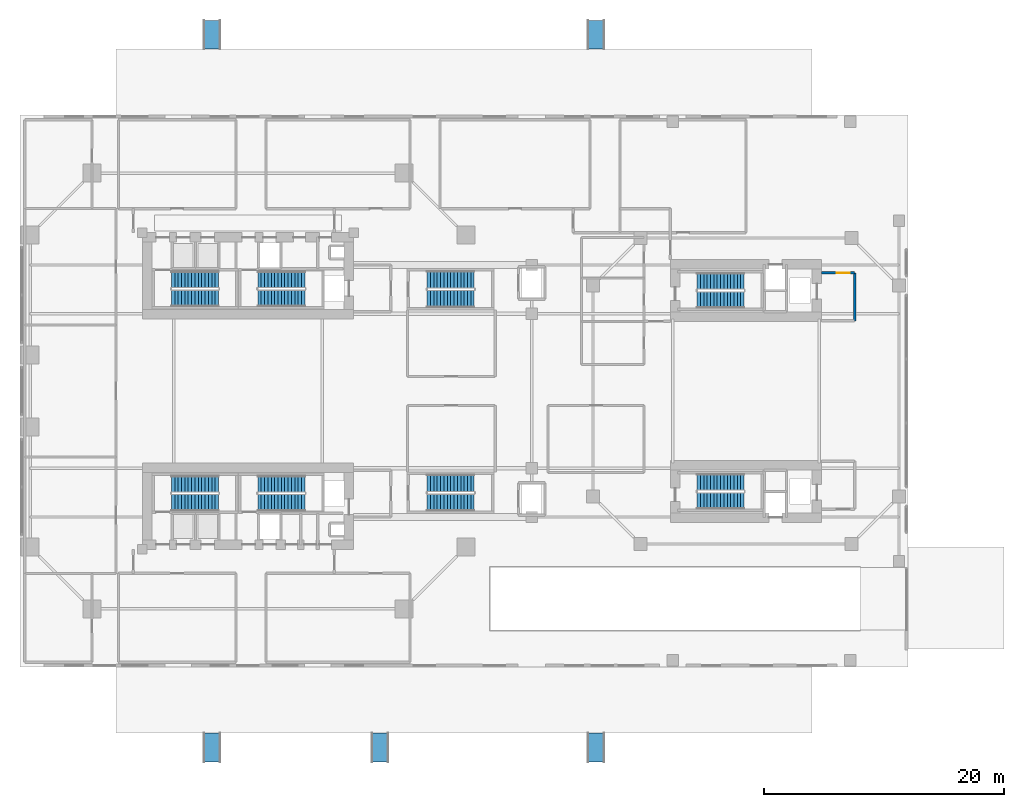
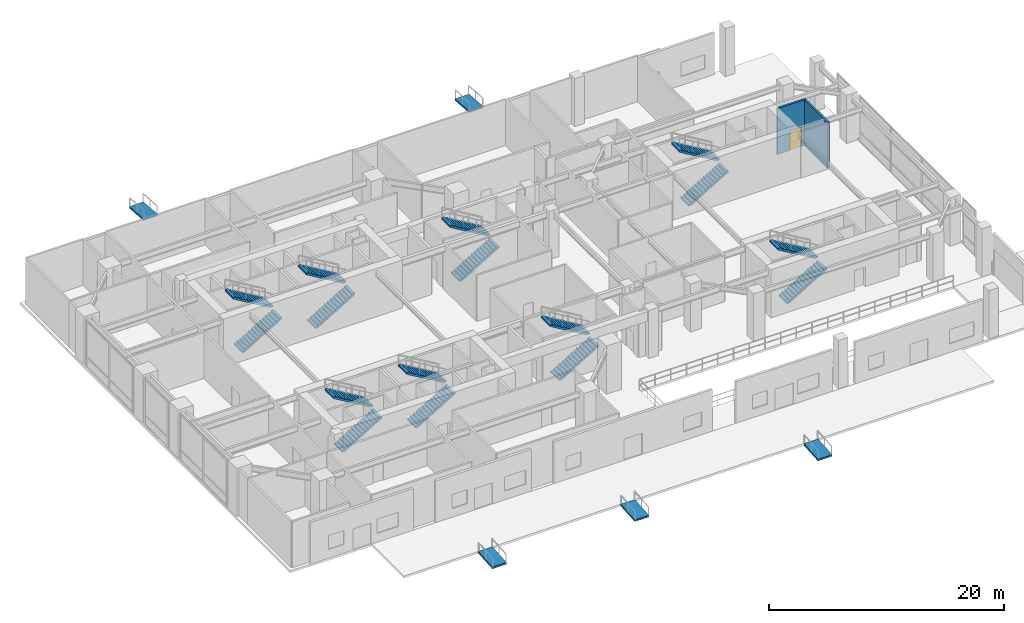
# One storey, part 13 of 18: 16 stair flights, 5 ramp flights, 2 walls, 1 door, 1 opening, 13 elements without a shape of their own.
"""IFC4 building model written with IfcOpenShell, lengths in metres."""

from ifc_helpers import new_model, si_unit, direction, frame, frame_2d, origin, place, context, subcontext, project, spatial, polyline, rectangle, outline, extrude, source, transform, mapped, material, layer, layer_set, type_object, element, fill, aggregate, save


model = new_model("IFC4")

# Units and contexts
model_context = context("Model", 3, precision=1e-05, world=origin(), true_north=direction((0.0, 1.0)))
body_context = subcontext(model_context, "Body", "Model", "MODEL_VIEW")
ifc_project = project(units=[si_unit("LENGTHUNIT", "METRE"), si_unit("AREAUNIT", "SQUARE_METRE"), si_unit("VOLUMEUNIT", "CUBIC_METRE"), si_unit("PLANEANGLEUNIT", "RADIAN"), si_unit("MASSUNIT", "GRAM", prefix="KILO"), si_unit("THERMODYNAMICTEMPERATUREUNIT", "KELVIN"), si_unit("POWERUNIT", "WATT")], contexts=[model_context])

# Site, building, storey
site_placement = place(None, origin())
site = spatial("IfcSite", under=ifc_project, at=site_placement, CompositionType="ELEMENT")
building_placement = place(site_placement, origin())
building = spatial("IfcBuilding", under=site, at=building_placement, Name="Qiaomeng Ring Towers", CompositionType="ELEMENT")
storey_placement = place(building_placement, origin())
storey = spatial("IfcBuildingStorey", under=building, at=storey_placement, Name="L00", CompositionType="ELEMENT", Elevation=0.0)

# Wall
ifc_material_1 = material(Name="Autoclaved aerated concrete block", Category="concrete")
ifc_layer_1 = layer(ifc_material_1, 0.199951171875, Name="Autoclaved aerated concrete block")
ifc_layer_set_1 = layer_set([ifc_layer_1], Name="Autoclaved aerated concrete block")
wall_type = type_object("IfcWallType", Name="ARC-WL-PW1", PredefinedType="PARTITIONING", material=ifc_layer_set_1)
wall_1_placement = place(storey_placement, frame((69.550048828125, 28.85009765625, 0.0), z_axis=(0.0, 0.0, 1.0), x_axis=(0.0, 1.0, 0.0)))
element("IfcWall", 1, at=wall_1_placement, inside=storey, type_object=wall_type, Name="L00 Interior Wall PW1", PredefinedType="PARTITIONING", context=body_context, shape_type="SweptSolid", body=[
    extrude(rectangle(XDim=4.0, YDim=0.199951171875, at=frame_2d((2.0, 0.0))), origin(), (0.0, 0.0, 1.0), 4.780029296875),
])

# Wall, opening, door
wall_2_placement = place(storey_placement, frame((66.800048828125, 32.85009765625, 0.0), z_axis=(0.0, 0.0, 1.0), x_axis=(1.0, 0.0, 0.0)))
wall_2 = element("IfcWall", 2, at=wall_2_placement, inside=storey, type_object=wall_type, Name="L00 Interior Wall PW1", PredefinedType="PARTITIONING", context=body_context, shape_type="SweptSolid", body=[
    extrude(rectangle(XDim=2.75, YDim=0.199951171875, at=frame_2d((1.375, 0.0))), origin(), (0.0, 0.0, 1.0), 4.780029296875),
])
opening_placement = place(wall_2_placement, frame((1.25, 0.0, 0.0)))
opening = element("IfcOpeningElement", 3, at=opening_placement, cuts=wall_2, Name="Opening FD3", PredefinedType="OPENING", context=body_context, shape_type="SweptSolid", body=[
    extrude(rectangle(XDim=1.10009765625, YDim=2.050048828125, at=frame_2d((0.550048828125, 1.02490234375))), frame((0.0, 0.10986328125, 0.0), z_axis=(0.0, -1.0, 0.0), x_axis=(1.0, 0.0, 0.0)), (0.0, 0.0, 1.0), 0.219970703125),
])
ifc_material_2 = material(Name="Galvanised steel", Category="steel")
door_type = type_object("IfcDoorType", Name="ARC-DR-FD3", OperationType="NOTDEFINED", PredefinedType="DOOR", material=ifc_material_2)
shared_shape_1 = source(origin(), body_context, "Body", "SweptSolid", [
    extrude(rectangle(XDim=1.10009765625, YDim=2.050048828125, at=frame_2d((0.550048828125, 1.02490234375))), frame((0.0, 0.02490234375, 0.0), z_axis=(0.0, -1.0, 0.0), x_axis=(1.0, 0.0, 0.0)), (0.0, 0.0, 1.0), 0.050048828125),
])
door_placement = place(opening_placement, origin())
door = element("IfcDoor", 4, at=door_placement, inside=storey, type_object=door_type, Name="L00 Door FD3", OperationType="SINGLE_SWING_RIGHT", OverallHeight=2.050048828125, OverallWidth=1.10009765625, PredefinedType="DOOR", context=body_context, shape_type="MappedRepresentation", body=[
    mapped(shared_shape_1, transform((0.0, 0.0, 0.0), x_axis=(1.0, 0.0, 0.0), y_axis=(0.0, 1.0, 0.0), z_axis=(0.0, 0.0, 1.0), scale=1.0)),
])
fill(opening, door)

# Stair, stair flights
ifc_material_3 = material(Name="Precast concrete C40", Category="concrete")
stair_type_1 = type_object("IfcStairType", Name="ARC-ST-500", PredefinedType="HALF_TURN_STAIR", material=ifc_material_3)
stair_1_placement = place(storey_placement, origin())
stair_1 = element("IfcStair", 5, at=stair_1_placement, inside=storey, type_object=stair_type_1, Name="L00 Tower 1 North Stair 1", PredefinedType="HALF_TURN_STAIR")
stair_flight_type_1 = type_object("IfcStairFlightType", Name="ARC-ST-500-FL", PredefinedType="STRAIGHT", material=ifc_material_3)
shared_shape_2 = source(origin(), body_context, "Body", "SweptSolid", [
    extrude(outline(polyline([(0.0, 0.0), (0.0, 0.166748046875), (0.280029296875, 0.166748046875), (0.280029296875, 0.333251953125), (0.56005859375, 0.333251953125), (0.56005859375, 0.5), (0.840087890625, 0.5), (0.840087890625, 0.666748046875), (1.1201171875, 0.666748046875), (1.1201171875, 0.833251953125), (1.39990234375, 0.833251953125), (1.39990234375, 1.0), (1.679931640625, 1.0), (1.679931640625, 1.166748046875), (1.9599609375, 1.166748046875), (1.9599609375, 1.333251953125), (2.239990234375, 1.333251953125), (2.239990234375, 1.5), (2.52001953125, 1.5), (2.52001953125, 1.666748046875), (2.800048828125, 1.666748046875), (2.800048828125, 1.833251953125), (3.080078125, 1.833251953125), (3.080078125, 2.0), (3.360107421875, 2.0), (3.360107421875, 2.166748046875), (3.639892578125, 2.166748046875), (3.639892578125, 2.333251953125), (3.919921875, 2.333251953125), (3.919921875, 2.5), (3.919921875, 2.158935546875), (0.29296875, 0.0), (0.0, 0.0)])), frame((0.0, 0.699951171875, 0.0), z_axis=(0.0, -1.0, 0.0), x_axis=(1.0, 0.0, 0.0)), (0.0, 0.0, 1.0), 1.39990234375),
])
stair_flight_1_placement = place(storey_placement, frame((12.6201171875, 30.75, 0.0), z_axis=(0.0, 0.0, 1.0), x_axis=(1.0, 0.0, 0.0)))
stair_flight_1 = element("IfcStairFlight", 6, at=stair_flight_1_placement, type_object=stair_flight_type_1, Name="ST1 flight 1", NumberOfRisers=15, NumberOfTreads=14, PredefinedType="STRAIGHT", RiserHeight=0.166666667, TreadLength=0.28, context=body_context, shape_type="MappedRepresentation", body=[
    mapped(shared_shape_2, transform((0.0, 0.0, 0.0), x_axis=(1.0, 0.0, 0.0), y_axis=(0.0, 1.0, 0.0), z_axis=(0.0, 0.0, 1.0), scale=1.0)),
])
stair_flight_2_placement = place(storey_placement, frame((16.5400390625, 32.2900390625, 2.5), z_axis=(0.0, 0.0, 1.0), x_axis=(-1.0, 0.0, 0.0)))
stair_flight_2 = element("IfcStairFlight", 7, at=stair_flight_2_placement, type_object=stair_flight_type_1, Name="ST1 flight 2", NumberOfRisers=15, NumberOfTreads=14, PredefinedType="STRAIGHT", RiserHeight=0.166666667, TreadLength=0.28, context=body_context, shape_type="MappedRepresentation", body=[
    mapped(shared_shape_2, transform((0.0, 0.0, 0.0), x_axis=(1.0, 0.0, 0.0), y_axis=(0.0, 1.0, 0.0), z_axis=(0.0, 0.0, 1.0), scale=1.0)),
])
aggregate(stair_1, [stair_flight_1, stair_flight_2])

stair_2_placement = place(storey_placement, origin())
stair_2 = element("IfcStair", 8, at=stair_2_placement, inside=storey, type_object=stair_type_1, Name="L00 Tower 1 North Stair 2", PredefinedType="HALF_TURN_STAIR")
stair_flight_3_placement = place(storey_placement, frame((19.820068359375, 30.75, 0.0), z_axis=(0.0, 0.0, 1.0), x_axis=(1.0, 0.0, 0.0)))
stair_flight_3 = element("IfcStairFlight", 9, at=stair_flight_3_placement, type_object=stair_flight_type_1, Name="ST2 flight 1", NumberOfRisers=15, NumberOfTreads=14, PredefinedType="STRAIGHT", RiserHeight=0.166666667, TreadLength=0.28, context=body_context, shape_type="MappedRepresentation", body=[
    mapped(shared_shape_2, transform((0.0, 0.0, 0.0), x_axis=(1.0, 0.0, 0.0), y_axis=(0.0, 1.0, 0.0), z_axis=(0.0, 0.0, 1.0), scale=1.0)),
])
stair_flight_4_placement = place(storey_placement, frame((23.739990234375, 32.2900390625, 2.5), z_axis=(0.0, 0.0, 1.0), x_axis=(-1.0, 0.0, 0.0)))
stair_flight_4 = element("IfcStairFlight", 10, at=stair_flight_4_placement, type_object=stair_flight_type_1, Name="ST2 flight 2", NumberOfRisers=15, NumberOfTreads=14, PredefinedType="STRAIGHT", RiserHeight=0.166666667, TreadLength=0.28, context=body_context, shape_type="MappedRepresentation", body=[
    mapped(shared_shape_2, transform((0.0, 0.0, 0.0), x_axis=(1.0, 0.0, 0.0), y_axis=(0.0, 1.0, 0.0), z_axis=(0.0, 0.0, 1.0), scale=1.0)),
])
aggregate(stair_2, [stair_flight_3, stair_flight_4])

stair_3_placement = place(storey_placement, origin())
stair_3 = element("IfcStair", 11, at=stair_3_placement, inside=storey, type_object=stair_type_1, Name="L00 Tower 1 South Stair 3", PredefinedType="HALF_TURN_STAIR")
stair_flight_5_placement = place(storey_placement, frame((12.6201171875, 13.7099609375, 0.0), z_axis=(0.0, 0.0, 1.0), x_axis=(1.0, 0.0, 0.0)))
stair_flight_5 = element("IfcStairFlight", 12, at=stair_flight_5_placement, type_object=stair_flight_type_1, Name="ST3 flight 1", NumberOfRisers=15, NumberOfTreads=14, PredefinedType="STRAIGHT", RiserHeight=0.166666667, TreadLength=0.28, context=body_context, shape_type="MappedRepresentation", body=[
    mapped(shared_shape_2, transform((0.0, 0.0, 0.0), x_axis=(1.0, 0.0, 0.0), y_axis=(0.0, 1.0, 0.0), z_axis=(0.0, 0.0, 1.0), scale=1.0)),
])
stair_flight_6_placement = place(storey_placement, frame((16.5400390625, 15.25, 2.5), z_axis=(0.0, 0.0, 1.0), x_axis=(-1.0, 0.0, 0.0)))
stair_flight_6 = element("IfcStairFlight", 13, at=stair_flight_6_placement, type_object=stair_flight_type_1, Name="ST3 flight 2", NumberOfRisers=15, NumberOfTreads=14, PredefinedType="STRAIGHT", RiserHeight=0.166666667, TreadLength=0.28, context=body_context, shape_type="MappedRepresentation", body=[
    mapped(shared_shape_2, transform((0.0, 0.0, 0.0), x_axis=(1.0, 0.0, 0.0), y_axis=(0.0, 1.0, 0.0), z_axis=(0.0, 0.0, 1.0), scale=1.0)),
])
aggregate(stair_3, [stair_flight_5, stair_flight_6])

stair_4_placement = place(storey_placement, origin())
stair_4 = element("IfcStair", 14, at=stair_4_placement, inside=storey, type_object=stair_type_1, Name="L00 Tower 1 South Stair 4", PredefinedType="HALF_TURN_STAIR")
stair_flight_7_placement = place(storey_placement, frame((19.820068359375, 13.7099609375, 0.0), z_axis=(0.0, 0.0, 1.0), x_axis=(1.0, 0.0, 0.0)))
stair_flight_7 = element("IfcStairFlight", 15, at=stair_flight_7_placement, type_object=stair_flight_type_1, Name="ST4 flight 1", NumberOfRisers=15, NumberOfTreads=14, PredefinedType="STRAIGHT", RiserHeight=0.166666667, TreadLength=0.28, context=body_context, shape_type="MappedRepresentation", body=[
    mapped(shared_shape_2, transform((0.0, 0.0, 0.0), x_axis=(1.0, 0.0, 0.0), y_axis=(0.0, 1.0, 0.0), z_axis=(0.0, 0.0, 1.0), scale=1.0)),
])
stair_flight_8_placement = place(storey_placement, frame((23.739990234375, 15.25, 2.5), z_axis=(0.0, 0.0, 1.0), x_axis=(-1.0, 0.0, 0.0)))
stair_flight_8 = element("IfcStairFlight", 16, at=stair_flight_8_placement, type_object=stair_flight_type_1, Name="ST4 flight 2", NumberOfRisers=15, NumberOfTreads=14, PredefinedType="STRAIGHT", RiserHeight=0.166666667, TreadLength=0.28, context=body_context, shape_type="MappedRepresentation", body=[
    mapped(shared_shape_2, transform((0.0, 0.0, 0.0), x_axis=(1.0, 0.0, 0.0), y_axis=(0.0, 1.0, 0.0), z_axis=(0.0, 0.0, 1.0), scale=1.0)),
])
aggregate(stair_4, [stair_flight_7, stair_flight_8])

stair_5_placement = place(storey_placement, origin())
stair_5 = element("IfcStair", 17, at=stair_5_placement, inside=storey, type_object=stair_type_1, Name="L00 Companion North Stair 5", PredefinedType="HALF_TURN_STAIR")
stair_flight_9_placement = place(storey_placement, frame((56.419921875, 30.60009765625, 0.0), z_axis=(0.0, 0.0, 1.0), x_axis=(1.0, 0.0, 0.0)))
stair_flight_9 = element("IfcStairFlight", 18, at=stair_flight_9_placement, type_object=stair_flight_type_1, Name="ST5 flight 1", NumberOfRisers=15, NumberOfTreads=14, PredefinedType="STRAIGHT", RiserHeight=0.166666667, TreadLength=0.28, context=body_context, shape_type="MappedRepresentation", body=[
    mapped(shared_shape_2, transform((0.0, 0.0, 0.0), x_axis=(1.0, 0.0, 0.0), y_axis=(0.0, 1.0, 0.0), z_axis=(0.0, 0.0, 1.0), scale=1.0)),
])
stair_flight_10_placement = place(storey_placement, frame((60.340087890625, 32.139892578125, 2.5), z_axis=(0.0, 0.0, 1.0), x_axis=(-1.0, 0.0, 0.0)))
stair_flight_10 = element("IfcStairFlight", 19, at=stair_flight_10_placement, type_object=stair_flight_type_1, Name="ST5 flight 2", NumberOfRisers=15, NumberOfTreads=14, PredefinedType="STRAIGHT", RiserHeight=0.166666667, TreadLength=0.28, context=body_context, shape_type="MappedRepresentation", body=[
    mapped(shared_shape_2, transform((0.0, 0.0, 0.0), x_axis=(1.0, 0.0, 0.0), y_axis=(0.0, 1.0, 0.0), z_axis=(0.0, 0.0, 1.0), scale=1.0)),
])
aggregate(stair_5, [stair_flight_9, stair_flight_10])

stair_6_placement = place(storey_placement, origin())
stair_6 = element("IfcStair", 20, at=stair_6_placement, inside=storey, type_object=stair_type_1, Name="L00 Companion South Stair 6", PredefinedType="HALF_TURN_STAIR")
stair_flight_11_placement = place(storey_placement, frame((56.419921875, 13.860107421875, 0.0), z_axis=(0.0, 0.0, 1.0), x_axis=(1.0, 0.0, 0.0)))
stair_flight_11 = element("IfcStairFlight", 21, at=stair_flight_11_placement, type_object=stair_flight_type_1, Name="ST6 flight 1", NumberOfRisers=15, NumberOfTreads=14, PredefinedType="STRAIGHT", RiserHeight=0.166666667, TreadLength=0.28, context=body_context, shape_type="MappedRepresentation", body=[
    mapped(shared_shape_2, transform((0.0, 0.0, 0.0), x_axis=(1.0, 0.0, 0.0), y_axis=(0.0, 1.0, 0.0), z_axis=(0.0, 0.0, 1.0), scale=1.0)),
])
stair_flight_12_placement = place(storey_placement, frame((60.340087890625, 15.39990234375, 2.5), z_axis=(0.0, 0.0, 1.0), x_axis=(-1.0, 0.0, 0.0)))
stair_flight_12 = element("IfcStairFlight", 22, at=stair_flight_12_placement, type_object=stair_flight_type_1, Name="ST6 flight 2", NumberOfRisers=15, NumberOfTreads=14, PredefinedType="STRAIGHT", RiserHeight=0.166666667, TreadLength=0.28, context=body_context, shape_type="MappedRepresentation", body=[
    mapped(shared_shape_2, transform((0.0, 0.0, 0.0), x_axis=(1.0, 0.0, 0.0), y_axis=(0.0, 1.0, 0.0), z_axis=(0.0, 0.0, 1.0), scale=1.0)),
])
aggregate(stair_6, [stair_flight_11, stair_flight_12])

stair_type_2 = type_object("IfcStairType", Name="ARC-ST-POD", PredefinedType="HALF_TURN_STAIR", material=ifc_material_3)
stair_7_placement = place(storey_placement, origin())
stair_7 = element("IfcStair", 23, at=stair_7_placement, inside=storey, type_object=stair_type_2, Name="L00 Podium Clinic North Stair 7", PredefinedType="HALF_TURN_STAIR")
stair_flight_type_2 = type_object("IfcStairFlightType", Name="ARC-ST-POD-FL", PredefinedType="STRAIGHT", material=ifc_material_3)
shared_shape_3 = source(origin(), body_context, "Body", "SweptSolid", [
    extrude(outline(polyline([(0.0, 0.0), (0.0, 0.166748046875), (0.280029296875, 0.166748046875), (0.280029296875, 0.333251953125), (0.56005859375, 0.333251953125), (0.56005859375, 0.5), (0.840087890625, 0.5), (0.840087890625, 0.666748046875), (1.1201171875, 0.666748046875), (1.1201171875, 0.833251953125), (1.39990234375, 0.833251953125), (1.39990234375, 1.0), (1.679931640625, 1.0), (1.679931640625, 1.166748046875), (1.9599609375, 1.166748046875), (1.9599609375, 1.333251953125), (2.239990234375, 1.333251953125), (2.239990234375, 1.5), (2.52001953125, 1.5), (2.52001953125, 1.666748046875), (2.800048828125, 1.666748046875), (2.800048828125, 1.833251953125), (3.080078125, 1.833251953125), (3.080078125, 2.0), (3.360107421875, 2.0), (3.360107421875, 2.166748046875), (3.639892578125, 2.166748046875), (3.639892578125, 2.333251953125), (3.919921875, 2.333251953125), (3.919921875, 2.5), (3.919921875, 2.158935546875), (0.29296875, 0.0), (0.0, 0.0)])), frame((0.0, 0.72509765625, 0.0), z_axis=(0.0, -1.0, 0.0), x_axis=(1.0, 0.0, 0.0)), (0.0, 0.0, 1.0), 1.449951171875),
])
stair_flight_13_placement = place(storey_placement, frame((33.929931640625, 30.68505859375, 0.0), z_axis=(0.0, 0.0, 1.0), x_axis=(1.0, 0.0, 0.0)))
stair_flight_13 = element("IfcStairFlight", 24, at=stair_flight_13_placement, type_object=stair_flight_type_2, Name="ST7 flight 1", NumberOfRisers=15, NumberOfTreads=14, PredefinedType="STRAIGHT", RiserHeight=0.166666667, TreadLength=0.28, context=body_context, shape_type="MappedRepresentation", body=[
    mapped(shared_shape_3, transform((0.0, 0.0, 0.0), x_axis=(1.0, 0.0, 0.0), y_axis=(0.0, 1.0, 0.0), z_axis=(0.0, 0.0, 1.0), scale=1.0)),
])
stair_flight_14_placement = place(storey_placement, frame((37.85009765625, 32.27490234375, 2.5), z_axis=(0.0, 0.0, 1.0), x_axis=(-1.0, 0.0, 0.0)))
stair_flight_14 = element("IfcStairFlight", 25, at=stair_flight_14_placement, type_object=stair_flight_type_2, Name="ST7 flight 2", NumberOfRisers=15, NumberOfTreads=14, PredefinedType="STRAIGHT", RiserHeight=0.166666667, TreadLength=0.28, context=body_context, shape_type="MappedRepresentation", body=[
    mapped(shared_shape_3, transform((0.0, 0.0, 0.0), x_axis=(1.0, 0.0, 0.0), y_axis=(0.0, 1.0, 0.0), z_axis=(0.0, 0.0, 1.0), scale=1.0)),
])
aggregate(stair_7, [stair_flight_13, stair_flight_14])

stair_8_placement = place(storey_placement, origin())
stair_8 = element("IfcStair", 26, at=stair_8_placement, inside=storey, type_object=stair_type_2, Name="L00 Podium Clinic South Stair 8", PredefinedType="HALF_TURN_STAIR")
stair_flight_15_placement = place(storey_placement, frame((33.929931640625, 13.72509765625, 0.0), z_axis=(0.0, 0.0, 1.0), x_axis=(1.0, 0.0, 0.0)))
stair_flight_15 = element("IfcStairFlight", 27, at=stair_flight_15_placement, type_object=stair_flight_type_2, Name="ST8 flight 1", NumberOfRisers=15, NumberOfTreads=14, PredefinedType="STRAIGHT", RiserHeight=0.166666667, TreadLength=0.28, context=body_context, shape_type="MappedRepresentation", body=[
    mapped(shared_shape_3, transform((0.0, 0.0, 0.0), x_axis=(1.0, 0.0, 0.0), y_axis=(0.0, 1.0, 0.0), z_axis=(0.0, 0.0, 1.0), scale=1.0)),
])
stair_flight_16_placement = place(storey_placement, frame((37.85009765625, 15.31494140625, 2.5), z_axis=(0.0, 0.0, 1.0), x_axis=(-1.0, 0.0, 0.0)))
stair_flight_16 = element("IfcStairFlight", 28, at=stair_flight_16_placement, type_object=stair_flight_type_2, Name="ST8 flight 2", NumberOfRisers=15, NumberOfTreads=14, PredefinedType="STRAIGHT", RiserHeight=0.166666667, TreadLength=0.28, context=body_context, shape_type="MappedRepresentation", body=[
    mapped(shared_shape_3, transform((0.0, 0.0, 0.0), x_axis=(1.0, 0.0, 0.0), y_axis=(0.0, 1.0, 0.0), z_axis=(0.0, 0.0, 1.0), scale=1.0)),
])
aggregate(stair_8, [stair_flight_15, stair_flight_16])

# Ramp, ramp flight
ramp_type = type_object("IfcRampType", Name="ARC-RMP-ACC", PredefinedType="STRAIGHT_RUN_RAMP", material=ifc_material_3)
ramp_1_placement = place(storey_placement, origin())
ramp_1 = element("IfcRamp", 29, at=ramp_1_placement, inside=storey, type_object=ramp_type, Name="South-West Clinic Accessible Entry Ramp AR1", PredefinedType="STRAIGHT_RUN_RAMP")
ifc_layer_2 = layer(ifc_material_3, 0.179931640625, Name="Precast concrete C40")
ifc_layer_set_2 = layer_set([ifc_layer_2], Name="Precast concrete C40")
ramp_flight_type = type_object("IfcRampFlightType", Name="ARC-RMPFL-ACC", PredefinedType="STRAIGHT", material=ifc_layer_set_2)
ramp_flight_1_placement = place(storey_placement, frame((16.0, -7.89794921875, -0.179931640625), z_axis=(0.0, 0.0, 1.0), x_axis=(0.0, 1.0, 0.0)))
ramp_flight_1 = element("IfcRampFlight", 30, at=ramp_flight_1_placement, type_object=ramp_flight_type, Name="South-West Clinic Accessible Entry Ramp AR1 Flight", PredefinedType="STRAIGHT", context=body_context, shape_type="SweptSolid", body=[
    extrude(outline(polyline([(0.0, 0.0), (2.39990234375, 0.179931640625), (2.39990234375, 0.0), (0.0, -0.179931640625), (0.0, 0.0)])), frame((0.0, 0.699951171875, 0.0), z_axis=(0.0, -1.0, 0.0), x_axis=(1.0, 0.0, 0.0)), (0.0, 0.0, 1.0), 1.39990234375),
])
aggregate(ramp_1, [ramp_flight_1])

ramp_2_placement = place(storey_placement, origin())
ramp_2 = element("IfcRamp", 31, at=ramp_2_placement, inside=storey, type_object=ramp_type, Name="South-East Tower Accessible Entry Ramp AR2", PredefinedType="STRAIGHT_RUN_RAMP")
ramp_flight_2_placement = place(storey_placement, frame((48.0, -7.89794921875, -0.179931640625), z_axis=(0.0, 0.0, 1.0), x_axis=(0.0, 1.0, 0.0)))
ramp_flight_2 = element("IfcRampFlight", 32, at=ramp_flight_2_placement, type_object=ramp_flight_type, Name="South-East Tower Accessible Entry Ramp AR2 Flight", PredefinedType="STRAIGHT", context=body_context, shape_type="SweptSolid", body=[
    extrude(outline(polyline([(0.0, 0.0), (2.39990234375, 0.179931640625), (2.39990234375, 0.0), (0.0, -0.179931640625), (0.0, 0.0)])), frame((0.0, 0.699951171875, 0.0), z_axis=(0.0, -1.0, 0.0), x_axis=(1.0, 0.0, 0.0)), (0.0, 0.0, 1.0), 1.39990234375),
])
aggregate(ramp_2, [ramp_flight_2])

ramp_3_placement = place(storey_placement, origin())
ramp_3 = element("IfcRamp", 33, at=ramp_3_placement, inside=storey, type_object=ramp_type, Name="North-West Clinic Accessible Entry Ramp AR3", PredefinedType="STRAIGHT_RUN_RAMP")
ramp_flight_3_placement = place(storey_placement, frame((16.0, 53.89794921875, -0.179931640625), z_axis=(0.0, 0.0, 1.0), x_axis=(0.0, -1.0, 0.0)))
ramp_flight_3 = element("IfcRampFlight", 34, at=ramp_flight_3_placement, type_object=ramp_flight_type, Name="North-West Clinic Accessible Entry Ramp AR3 Flight", PredefinedType="STRAIGHT", context=body_context, shape_type="SweptSolid", body=[
    extrude(outline(polyline([(0.0, 0.0), (2.39990234375, 0.179931640625), (2.39990234375, 0.0), (0.0, -0.179931640625), (0.0, 0.0)])), frame((0.0, 0.699951171875, 0.0), z_axis=(0.0, -1.0, 0.0), x_axis=(1.0, 0.0, 0.0)), (0.0, 0.0, 1.0), 1.39990234375),
])
aggregate(ramp_3, [ramp_flight_3])

ramp_4_placement = place(storey_placement, origin())
ramp_4 = element("IfcRamp", 35, at=ramp_4_placement, inside=storey, type_object=ramp_type, Name="North-East Companion Accessible Entry Ramp AR4", PredefinedType="STRAIGHT_RUN_RAMP")
ramp_flight_4_placement = place(storey_placement, frame((48.0, 53.89794921875, -0.179931640625), z_axis=(0.0, 0.0, 1.0), x_axis=(0.0, -1.0, 0.0)))
ramp_flight_4 = element("IfcRampFlight", 36, at=ramp_flight_4_placement, type_object=ramp_flight_type, Name="North-East Companion Accessible Entry Ramp AR4 Flight", PredefinedType="STRAIGHT", context=body_context, shape_type="SweptSolid", body=[
    extrude(outline(polyline([(0.0, 0.0), (2.39990234375, 0.179931640625), (2.39990234375, 0.0), (0.0, -0.179931640625), (0.0, 0.0)])), frame((0.0, 0.699951171875, 0.0), z_axis=(0.0, -1.0, 0.0), x_axis=(1.0, 0.0, 0.0)), (0.0, 0.0, 1.0), 1.39990234375),
])
aggregate(ramp_4, [ramp_flight_4])

ramp_5_placement = place(storey_placement, origin())
ramp_5 = element("IfcRamp", 37, at=ramp_5_placement, inside=storey, type_object=ramp_type, Name="South Central Concourse Accessible Entry Ramp AR5", PredefinedType="STRAIGHT_RUN_RAMP")
ramp_flight_5_placement = place(storey_placement, frame((30.0, -7.89794921875, -0.179931640625), z_axis=(0.0, 0.0, 1.0), x_axis=(0.0, 1.0, 0.0)))
ramp_flight_5 = element("IfcRampFlight", 38, at=ramp_flight_5_placement, type_object=ramp_flight_type, Name="South Central Concourse Accessible Entry Ramp AR5 Flight", PredefinedType="STRAIGHT", context=body_context, shape_type="SweptSolid", body=[
    extrude(outline(polyline([(0.0, 0.0), (2.39990234375, 0.179931640625), (2.39990234375, 0.0), (0.0, -0.179931640625), (0.0, 0.0)])), frame((0.0, 0.699951171875, 0.0), z_axis=(0.0, -1.0, 0.0), x_axis=(1.0, 0.0, 0.0)), (0.0, 0.0, 1.0), 1.39990234375),
])
aggregate(ramp_5, [ramp_flight_5])

save(model, "model.ifc")
